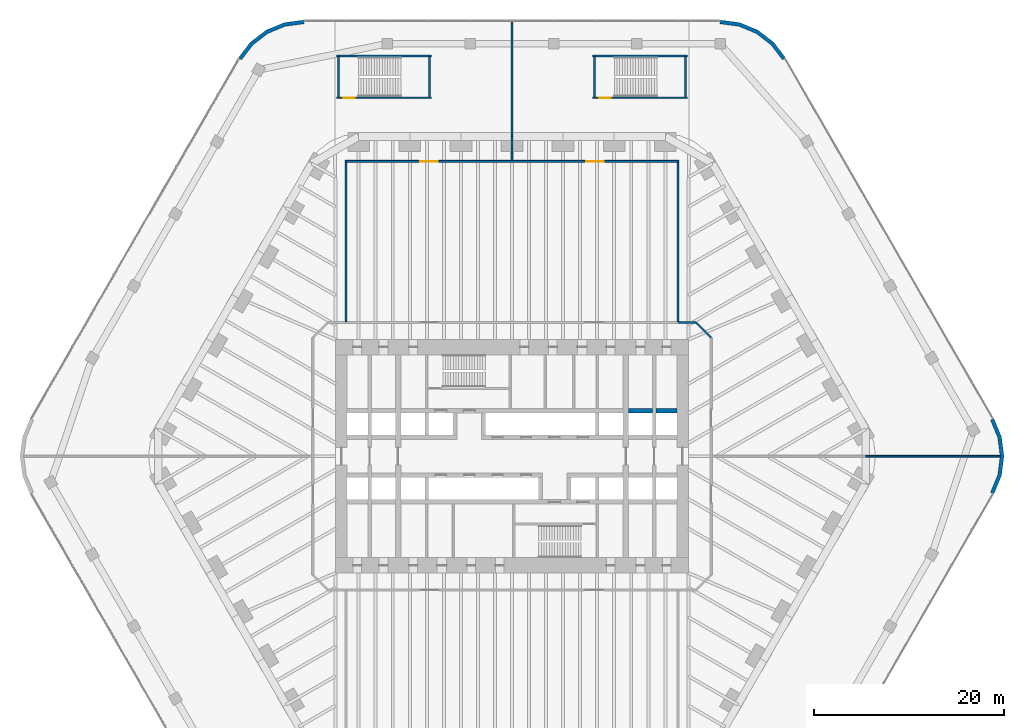
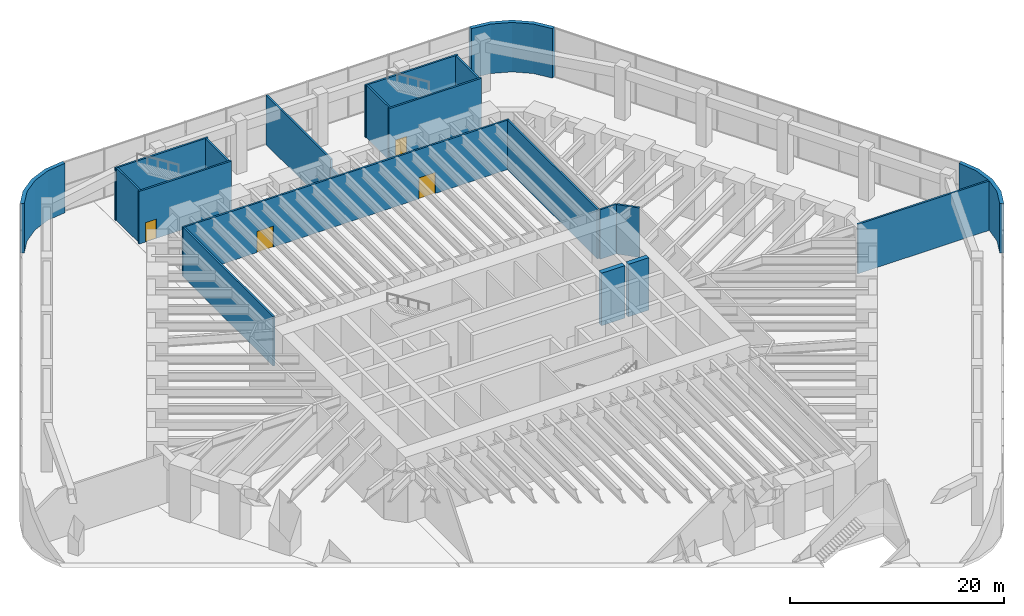
# One storey, part 29 of 31: 21 walls, 4 doors, 4 openings.
"""IFC4 building model written with IfcOpenShell, lengths in metres."""

from ifc_helpers import new_model, si_unit, direction, frame, frame_2d, origin, place, context, subcontext, project, spatial, polyline, rectangle, outline, extrude, material, layer, layer_set, type_object, element, fill, save


model = new_model("IFC4")

# Units and contexts
model_context = context("Model", 3, precision=1e-05, world=origin(), true_north=direction((0.0, 1.0)))
body_context = subcontext(model_context, "Body", "Model", "MODEL_VIEW")
ifc_project = project(units=[si_unit("LENGTHUNIT", "METRE"), si_unit("AREAUNIT", "SQUARE_METRE"), si_unit("VOLUMEUNIT", "CUBIC_METRE"), si_unit("PLANEANGLEUNIT", "RADIAN"), si_unit("MASSUNIT", "GRAM", prefix="KILO")], contexts=[model_context])

# Site, building, storey
site_placement = place(None, origin())
site = spatial("IfcSite", under=ifc_project, at=site_placement, CompositionType="ELEMENT")
building_placement = place(site_placement, origin())
building = spatial("IfcBuilding", under=site, at=building_placement, Name="Tarfa Lantern Tower", CompositionType="ELEMENT")
storey_placement = place(building_placement, frame((0.0, 0.0, 7.0)))
storey = spatial("IfcBuildingStorey", under=building, at=storey_placement, Name="L01", CompositionType="ELEMENT", Elevation=7.0)

# Walls
ifc_material_1 = material(Name="Limestone cladding on blockwork", Category="masonry")
ifc_layer_1 = layer(ifc_material_1, 0.39990234375)
ifc_layer_set_1 = layer_set([ifc_layer_1], Name="EW2 CURVED STONE CORNER 400")
wall_type_1 = type_object("IfcWallType", Name="EW2 CURVED STONE CORNER 400", PredefinedType="SOLIDWALL", material=ifc_layer_set_1)
wall_1_placement = place(storey_placement, origin())
element("IfcWall", 1, at=wall_1_placement, inside=storey, type_object=wall_type_1, Name="Stone corner NE-N", PredefinedType="SOLIDWALL", context=body_context, shape_type="SweptSolid", body=[
    extrude(outline(polyline([(28.867431640625, 42.0), (27.59619140625, 43.65673828125), (25.939208984375, 44.92822265625), (24.009765625, 45.727294921875), (21.939208984375, 46.0), (21.939208984375, 45.60009765625), (23.90625, 45.341064453125), (25.7392578125, 44.581787109375), (27.313232421875, 43.3740234375), (28.52099609375, 41.800048828125), (28.867431640625, 42.0)])), origin(), (0.0, 0.0, 1.0), 5.64990234375),
])
wall_2_placement = place(storey_placement, origin())
element("IfcWall", 2, at=wall_2_placement, inside=storey, type_object=wall_type_1, Name="Stone corner N-NW", PredefinedType="SOLIDWALL", context=body_context, shape_type="SweptSolid", body=[
    extrude(outline(polyline([(-21.939208984375, 46.0), (-24.009765625, 45.727294921875), (-25.939208984375, 44.92822265625), (-27.59619140625, 43.65673828125), (-28.867431640625, 42.0), (-28.52099609375, 41.800048828125), (-27.313232421875, 43.3740234375), (-25.7392578125, 44.581787109375), (-23.90625, 45.341064453125), (-21.939208984375, 45.60009765625), (-21.939208984375, 46.0)])), origin(), (0.0, 0.0, 1.0), 5.64990234375),
])
wall_3_placement = place(storey_placement, origin())
element("IfcWall", 3, at=wall_3_placement, inside=storey, type_object=wall_type_1, Name="Stone corner SE-NE", PredefinedType="SOLIDWALL", context=body_context, shape_type="SweptSolid", body=[
    extrude(outline(polyline([(50.806884765625, -4.0), (51.60595703125, -2.070556640625), (51.878662109375, 0.0), (51.60595703125, 2.070556640625), (50.806884765625, 4.0), (50.46044921875, 3.800048828125), (51.2197265625, 1.967041015625), (51.478515625, 0.0), (51.2197265625, -1.967041015625), (50.46044921875, -3.800048828125), (50.806884765625, -4.0)])), origin(), (0.0, 0.0, 1.0), 5.64990234375),
])
ifc_material_2 = material(Name="Gypsum board on steel studs", Category="steel")
ifc_layer_2 = layer(ifc_material_2, 0.2099609375)
ifc_layer_set_2 = layer_set([ifc_layer_2], Name="IW2 ACOUSTIC PARTITION 200")
wall_type_2 = type_object("IfcWallType", Name="IW2 ACOUSTIC PARTITION 200", PredefinedType="PARTITIONING", material=ifc_layer_set_2)
for number, where, z_axis, x_axis, name in (
    (4, (-17.5, 14.199951171875, 0.0), (0.0, 0.0, 1.0), (0.0, 1.0, 0.0), "Partition"),
    (5, (17.5, 14.199951171875, 0.0), (0.0, 0.0, 1.0), (0.0, 1.0, 0.0), "Partition"),
):
    element("IfcWall", number, at=place(storey_placement, frame(where, z_axis=z_axis, x_axis=x_axis)), inside=storey, type_object=wall_type_2, Name=name, PredefinedType="PARTITIONING", context=body_context, shape_type="SweptSolid", body=[
        extrude(rectangle(XDim=16.800048828125, YDim=0.199951171875, at=frame_2d((8.39990234375, 0.0))), origin(), (0.0, 0.0, 1.0), 5.64990234375),
    ])

# Wall, openings, doors
wall_4_placement = place(storey_placement, frame((-17.60009765625, 31.10009765625, 0.0), z_axis=(0.0, 0.0, 1.0), x_axis=(1.0, 0.0, 0.0)))
wall_4 = element("IfcWall", 6, at=wall_4_placement, inside=storey, type_object=wall_type_2, Name="Partition", PredefinedType="PARTITIONING", context=body_context, shape_type="SweptSolid", body=[
    extrude(rectangle(XDim=35.2001953125, YDim=0.199951171875, at=frame_2d((17.60009765625, 0.0))), origin(), (0.0, 0.0, 1.0), 5.64990234375),
])
opening_1_placement = place(wall_4_placement, frame((7.949951171875, 0.0, 0.0)))
opening_1 = element("IfcOpeningElement", 7, at=opening_1_placement, cuts=wall_4, Name="Opening D37", PredefinedType="OPENING", context=body_context, shape_type="SweptSolid", body=[
    extrude(rectangle(XDim=1.800048828125, YDim=2.39990234375, at=frame_2d((0.89990234375, 1.199951171875))), frame((0.0, 0.10986328125, 0.0), z_axis=(0.0, -1.0, 0.0), x_axis=(1.0, 0.0, 0.0)), (0.0, 0.0, 1.0), 0.219970703125),
])
opening_2_placement = place(wall_4_placement, frame((25.449951171875, 0.0, 0.0)))
opening_2 = element("IfcOpeningElement", 8, at=opening_2_placement, cuts=wall_4, Name="Opening D38", PredefinedType="OPENING", context=body_context, shape_type="SweptSolid", body=[
    extrude(rectangle(XDim=1.800048828125, YDim=2.39990234375, at=frame_2d((0.89990234375, 1.199951171875))), frame((0.0, 0.10986328125, 0.0), z_axis=(0.0, -1.0, 0.0), x_axis=(1.0, 0.0, 0.0)), (0.0, 0.0, 1.0), 0.219970703125),
])
ifc_material_3 = material(Name="Timber door", Category="wood")
door_type_1 = type_object("IfcDoorType", Name="DR2 ROOM DOOR 1800x2400", OperationType="DOUBLE_DOOR_SINGLE_SWING", PredefinedType="DOOR", material=ifc_material_3)
door_1_placement = place(opening_1_placement, frame((1.800048828125, 0.0, 0.0), z_axis=(0.0, 0.0, 1.0), x_axis=(-1.0, 0.0, 0.0)))
door_1 = element("IfcDoor", 9, at=door_1_placement, inside=storey, type_object=door_type_1, Name="Auditorium door", OperationType="DOUBLE_DOOR_SINGLE_SWING", OverallHeight=2.39990234375, OverallWidth=1.800048828125, PredefinedType="DOOR", context=body_context, shape_type="SweptSolid", body=[
    extrude(rectangle(XDim=1.800048828125, YDim=2.39990234375, at=frame_2d((0.89990234375, 1.199951171875))), frame((0.0, 0.02490234375, 0.0), z_axis=(0.0, -1.0, 0.0), x_axis=(1.0, 0.0, 0.0)), (0.0, 0.0, 1.0), 0.050048828125),
])
fill(opening_1, door_1)
door_2_placement = place(opening_2_placement, frame((1.800048828125, 0.0, 0.0), z_axis=(0.0, 0.0, 1.0), x_axis=(-1.0, 0.0, 0.0)))
door_2 = element("IfcDoor", 10, at=door_2_placement, inside=storey, type_object=door_type_1, Name="Auditorium door", OperationType="DOUBLE_DOOR_SINGLE_SWING", OverallHeight=2.39990234375, OverallWidth=1.800048828125, PredefinedType="DOOR", context=body_context, shape_type="SweptSolid", body=[
    extrude(rectangle(XDim=1.800048828125, YDim=2.39990234375, at=frame_2d((0.89990234375, 1.199951171875))), frame((0.0, 0.02490234375, 0.0), z_axis=(0.0, -1.0, 0.0), x_axis=(1.0, 0.0, 0.0)), (0.0, 0.0, 1.0), 0.050048828125),
])
fill(opening_2, door_2)

# Walls
wall_5_placement = place(storey_placement, frame((17.60009765625, 14.10009765625, 0.0), z_axis=(0.0, 0.0, 1.0), x_axis=(1.0, 0.0, 0.0)))
element("IfcWall", 11, at=wall_5_placement, inside=storey, type_object=wall_type_2, Name="Partition", PredefinedType="PARTITIONING", context=body_context, shape_type="SweptSolid", body=[
    extrude(rectangle(XDim=1.7998046875, YDim=0.199951171875, at=frame_2d((0.89990234375, 0.0))), origin(), (0.0, 0.0, 1.0), 5.64990234375),
])
wall_6_placement = place(storey_placement, frame((19.39990234375, 14.10009765625, 0.0), z_axis=(0.0, 0.0, 1.0), x_axis=(0.707106781187, -0.707106781187, 0.0)))
element("IfcWall", 12, at=wall_6_placement, inside=storey, type_object=wall_type_2, Name="Partition", PredefinedType="PARTITIONING", context=body_context, shape_type="SweptSolid", body=[
    extrude(rectangle(XDim=2.262939453125, YDim=0.199951171875, at=frame_2d((1.13134765625, 0.0))), origin(), (0.0, 0.0, 1.0), 5.64990234375),
])
wall_7_placement = place(storey_placement, frame((0.0, 31.199951171875, 0.0), z_axis=(0.0, 0.0, 1.0), x_axis=(0.0, 1.0, 0.0)))
element("IfcWall", 13, at=wall_7_placement, inside=storey, type_object=wall_type_2, Name="Partition", PredefinedType="PARTITIONING", context=body_context, shape_type="SweptSolid", body=[
    extrude(rectangle(XDim=2.52001953125, YDim=0.199951171875, at=frame_2d((1.260009765625, 0.0))), origin(), (0.0, 0.0, 1.0), 4.593994140625),
])
wall_8_placement = place(storey_placement, frame((0.0, 33.719970703125, 0.0), z_axis=(0.0, 0.0, 1.0), x_axis=(0.0, 1.0, 0.0)))
element("IfcWall", 14, at=wall_8_placement, inside=storey, type_object=wall_type_2, Name="Partition", PredefinedType="PARTITIONING", context=body_context, shape_type="SweptSolid", body=[
    extrude(rectangle(XDim=12.090087890625, YDim=0.199951171875, at=frame_2d((6.044921875, 0.0))), origin(), (0.0, 0.0, 1.0), 5.64990234375),
])
wall_9_placement = place(storey_placement, frame((37.285400390625, 0.0, 0.0), z_axis=(0.0, 0.0, 1.0), x_axis=(1.0, 0.0, 0.0)))
element("IfcWall", 15, at=wall_9_placement, inside=storey, type_object=wall_type_2, Name="Partition", PredefinedType="PARTITIONING", context=body_context, shape_type="SweptSolid", body=[
    extrude(rectangle(XDim=14.18017578125, YDim=0.199951171875, at=frame_2d((7.090087890625, 0.0))), origin(), (0.0, 0.0, 1.0), 5.64990234375),
])

# Wall, opening, door
ifc_material_4 = material(Name="Concrete C80/95", Category="concrete")
ifc_layer_3 = layer(ifc_material_4, 0.199951171875)
ifc_layer_set_3 = layer_set([ifc_layer_3], Name="SW12 CORE WALL 200")
wall_type_3 = type_object("IfcWallType", Name="SW12 CORE WALL 200", PredefinedType="SHEAR", material=ifc_layer_set_3)
wall_10_placement = place(storey_placement, frame((8.5, 37.800048828125, 0.0), z_axis=(0.0, 0.0, 1.0), x_axis=(1.0, 0.0, 0.0)))
wall_10 = element("IfcWall", 16, at=wall_10_placement, inside=storey, type_object=wall_type_3, Name="Stair ST3 shaft wall", PredefinedType="SHEAR", context=body_context, shape_type="SweptSolid", body=[
    extrude(rectangle(XDim=10.0, YDim=0.199951171875, at=frame_2d((5.0, 0.0))), origin(), (0.0, 0.0, 1.0), 6.0),
])
opening_3_placement = place(wall_10_placement, frame((0.699951171875, 0.0, 0.0)))
opening_3 = element("IfcOpeningElement", 17, at=opening_3_placement, cuts=wall_10, Name="Opening D29", PredefinedType="OPENING", context=body_context, shape_type="SweptSolid", body=[
    extrude(rectangle(XDim=1.199951171875, YDim=2.199951171875, at=frame_2d((0.60009765625, 1.10009765625))), frame((0.0, 0.10986328125, 0.0), z_axis=(0.0, -1.0, 0.0), x_axis=(1.0, 0.0, 0.0)), (0.0, 0.0, 1.0), 0.219970703125),
])
ifc_material_5 = material(Name="Steel fire door", Category="steel")
door_type_2 = type_object("IfcDoorType", Name="DF9 STAIR DOOR 1200x2200", OperationType="SINGLE_SWING_LEFT", PredefinedType="DOOR", material=ifc_material_5)
door_3_placement = place(opening_3_placement, frame((1.199951171875, 0.0, 0.0), z_axis=(0.0, 0.0, 1.0), x_axis=(-1.0, 0.0, 0.0)))
door_3 = element("IfcDoor", 18, at=door_3_placement, inside=storey, type_object=door_type_2, Name="Stair door", OperationType="SINGLE_SWING_LEFT", OverallHeight=2.199951171875, OverallWidth=1.199951171875, PredefinedType="DOOR", context=body_context, shape_type="SweptSolid", body=[
    extrude(rectangle(XDim=1.199951171875, YDim=2.199951171875, at=frame_2d((0.60009765625, 1.10009765625))), frame((0.0, 0.02490234375, 0.0), z_axis=(0.0, -1.0, 0.0), x_axis=(1.0, 0.0, 0.0)), (0.0, 0.0, 1.0), 0.050048828125),
])
fill(opening_3, door_3)

# Walls
wall_11_placement = place(storey_placement, frame((18.5, 42.199951171875, 0.0), z_axis=(0.0, 0.0, 1.0), x_axis=(-1.0, 0.0, 0.0)))
element("IfcWall", 19, at=wall_11_placement, inside=storey, type_object=wall_type_3, Name="Stair ST3 shaft wall", PredefinedType="SHEAR", context=body_context, shape_type="SweptSolid", body=[
    extrude(rectangle(XDim=10.0, YDim=0.199951171875, at=frame_2d((5.0, 0.0))), origin(), (0.0, 0.0, 1.0), 6.0),
])
for number, where, z_axis, x_axis, name in (
    (20, (8.699951171875, 42.10009765625, 0.0), (0.0, 0.0, 1.0), (0.0, -1.0, 0.0), "Stair ST3 shaft wall"),
    (21, (18.300048828125, 37.89990234375, 0.0), (0.0, 0.0, 1.0), (0.0, 1.0, 0.0), "Stair ST3 shaft wall"),
):
    element("IfcWall", number, at=place(storey_placement, frame(where, z_axis=z_axis, x_axis=x_axis)), inside=storey, type_object=wall_type_3, Name=name, PredefinedType="SHEAR", context=body_context, shape_type="SweptSolid", body=[
        extrude(rectangle(XDim=4.2001953125, YDim=0.199951171875, at=frame_2d((2.10009765625, 0.0))), origin(), (0.0, 0.0, 1.0), 6.0),
    ])

# Wall, opening, door
wall_12_placement = place(storey_placement, frame((-18.5, 37.800048828125, 0.0), z_axis=(0.0, 0.0, 1.0), x_axis=(1.0, 0.0, 0.0)))
wall_12 = element("IfcWall", 22, at=wall_12_placement, inside=storey, type_object=wall_type_3, Name="Stair ST4 shaft wall", PredefinedType="SHEAR", context=body_context, shape_type="SweptSolid", body=[
    extrude(rectangle(XDim=10.0, YDim=0.199951171875, at=frame_2d((5.0, 0.0))), origin(), (0.0, 0.0, 1.0), 6.0),
])
opening_4_placement = place(wall_12_placement, frame((0.699951171875, 0.0, 0.0)))
opening_4 = element("IfcOpeningElement", 23, at=opening_4_placement, cuts=wall_12, Name="Opening D30", PredefinedType="OPENING", context=body_context, shape_type="SweptSolid", body=[
    extrude(rectangle(XDim=1.199951171875, YDim=2.199951171875, at=frame_2d((0.60009765625, 1.10009765625))), frame((0.0, 0.10986328125, 0.0), z_axis=(0.0, -1.0, 0.0), x_axis=(1.0, 0.0, 0.0)), (0.0, 0.0, 1.0), 0.219970703125),
])
door_4_placement = place(opening_4_placement, frame((1.199951171875, 0.0, 0.0), z_axis=(0.0, 0.0, 1.0), x_axis=(-1.0, 0.0, 0.0)))
door_4 = element("IfcDoor", 24, at=door_4_placement, inside=storey, type_object=door_type_2, Name="Stair door", OperationType="SINGLE_SWING_LEFT", OverallHeight=2.199951171875, OverallWidth=1.199951171875, PredefinedType="DOOR", context=body_context, shape_type="SweptSolid", body=[
    extrude(rectangle(XDim=1.199951171875, YDim=2.199951171875, at=frame_2d((0.60009765625, 1.10009765625))), frame((0.0, 0.02490234375, 0.0), z_axis=(0.0, -1.0, 0.0), x_axis=(1.0, 0.0, 0.0)), (0.0, 0.0, 1.0), 0.050048828125),
])
fill(opening_4, door_4)

# Walls
wall_13_placement = place(storey_placement, frame((-8.5, 42.199951171875, 0.0), z_axis=(0.0, 0.0, 1.0), x_axis=(-1.0, 0.0, 0.0)))
element("IfcWall", 25, at=wall_13_placement, inside=storey, type_object=wall_type_3, Name="Stair ST4 shaft wall", PredefinedType="SHEAR", context=body_context, shape_type="SweptSolid", body=[
    extrude(rectangle(XDim=10.0, YDim=0.199951171875, at=frame_2d((5.0, 0.0))), origin(), (0.0, 0.0, 1.0), 6.0),
])
for number, where, z_axis, x_axis, name in (
    (26, (-18.300048828125, 42.10009765625, 0.0), (0.0, 0.0, 1.0), (0.0, -1.0, 0.0), "Stair ST4 shaft wall"),
    (27, (-8.699951171875, 37.89990234375, 0.0), (0.0, 0.0, 1.0), (0.0, 1.0, 0.0), "Stair ST4 shaft wall"),
):
    element("IfcWall", number, at=place(storey_placement, frame(where, z_axis=z_axis, x_axis=x_axis)), inside=storey, type_object=wall_type_3, Name=name, PredefinedType="SHEAR", context=body_context, shape_type="SweptSolid", body=[
        extrude(rectangle(XDim=4.2001953125, YDim=0.199951171875, at=frame_2d((2.10009765625, 0.0))), origin(), (0.0, 0.0, 1.0), 6.0),
    ])
ifc_layer_4 = layer(ifc_material_4, 0.5)
ifc_layer_set_4 = layer_set([ifc_layer_4], Name="SW5 CORE WALL 500")
wall_type_4 = type_object("IfcWallType", Name="SW5 CORE WALL 500", PredefinedType="SHEAR", material=ifc_layer_set_4)
wall_14_placement = place(storey_placement, frame((12.300048828125, 4.800048828125, 0.0), z_axis=(0.0, 0.0, 1.0), x_axis=(1.0, 0.0, 0.0)))
element("IfcWall", 28, at=wall_14_placement, inside=storey, type_object=wall_type_4, Name="Core wall rear N", PredefinedType="SHEAR", context=body_context, shape_type="SweptSolid", body=[
    extrude(rectangle(XDim=2.5, YDim=0.5, at=frame_2d((1.25, 0.0))), origin(), (0.0, 0.0, 1.0), 6.0),
])
wall_15_placement = place(storey_placement, frame((15.199951171875, 4.800048828125, 0.0), z_axis=(0.0, 0.0, 1.0), x_axis=(1.0, 0.0, 0.0)))
element("IfcWall", 29, at=wall_15_placement, inside=storey, type_object=wall_type_4, Name="Core wall rear N", PredefinedType="SHEAR", context=body_context, shape_type="SweptSolid", body=[
    extrude(rectangle(XDim=2.199951171875, YDim=0.5, at=frame_2d((1.10009765625, 0.0))), origin(), (0.0, 0.0, 1.0), 6.0),
])

save(model, "model.ifc")
